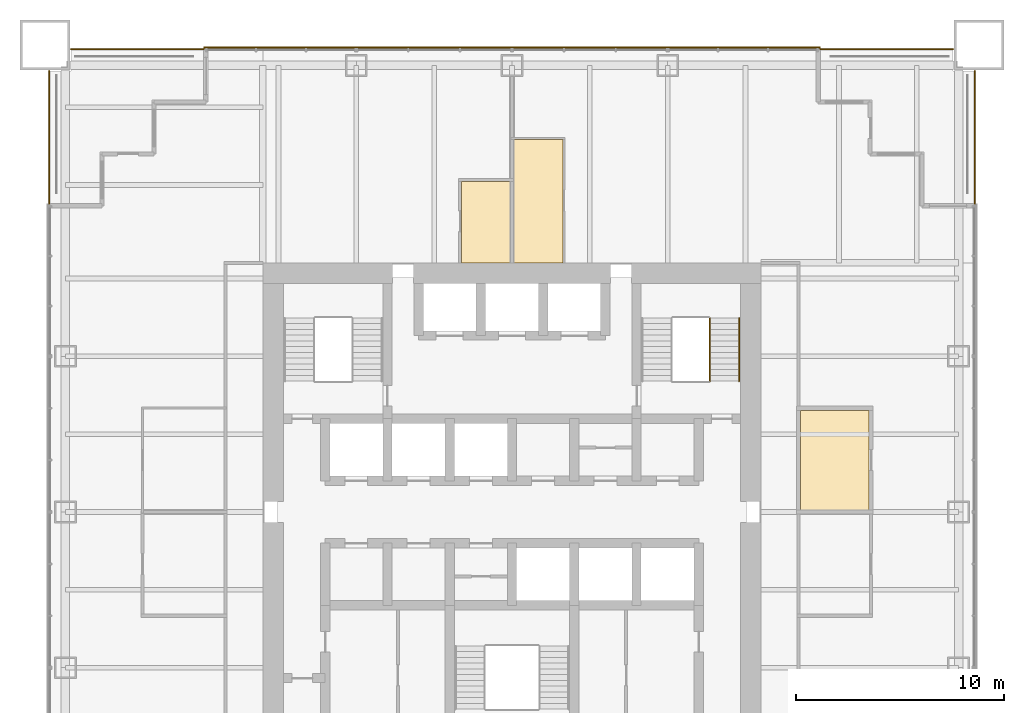
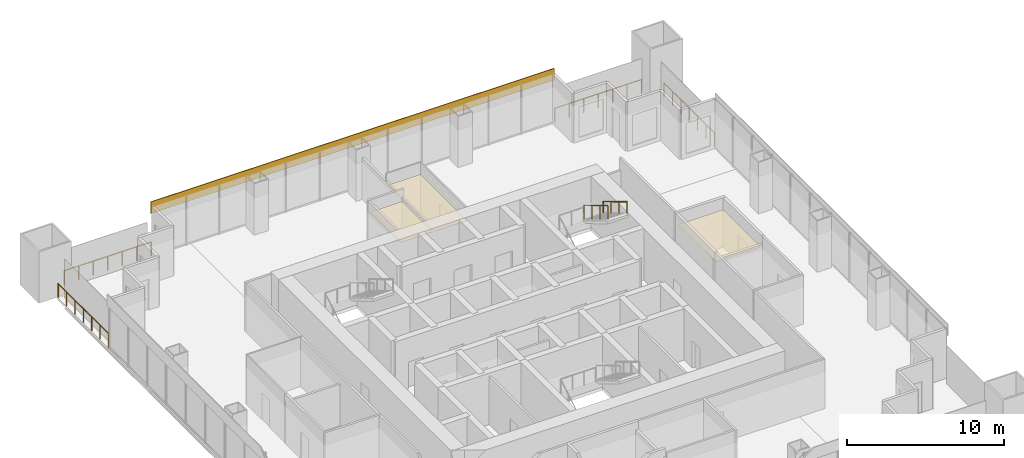
# One storey, part 13 of 13: 6 railings, 4 coverings.
"""IFC4 building model written with IfcOpenShell, lengths in metres."""

from ifc_helpers import new_model, si_unit, direction, frame, origin, origin_2d, place, context, subcontext, project, spatial, polyline, rectangle, circle, outline, extrude, material, layer, layer_set, type_object, element, save


model = new_model("IFC4")

# Units and contexts
model_context = context("Model", 3, precision=1e-05, world=origin(), true_north=direction((0.0, 1.0)))
body_context = subcontext(model_context, "Body", "Model", "MODEL_VIEW")
ifc_project = project(units=[si_unit("LENGTHUNIT", "METRE"), si_unit("AREAUNIT", "SQUARE_METRE"), si_unit("VOLUMEUNIT", "CUBIC_METRE"), si_unit("PLANEANGLEUNIT", "RADIAN"), si_unit("MASSUNIT", "GRAM", prefix="KILO")], contexts=[model_context])

# Site, building, storey
site_placement = place(None, origin())
site = spatial("IfcSite", under=ifc_project, at=site_placement, CompositionType="ELEMENT")
building_placement = place(site_placement, origin())
building = spatial("IfcBuilding", under=site, at=building_placement, Name="Tarangal Relay Tower", CompositionType="ELEMENT")
storey_placement = place(building_placement, frame((0.0, 0.0, 217.89990234375)))
storey = spatial("IfcBuildingStorey", under=building, at=storey_placement, Name="L46", CompositionType="ELEMENT", Elevation=217.89990234375)

# Covering
ifc_material_1 = material(Name="Black anodised aluminium cladding", Category="aluminium")
ifc_layer_1 = layer(ifc_material_1, 0.050048828125)
ifc_layer_set_1 = layer_set([ifc_layer_1], Name="Black metal spandrel band")
covering_type_1 = type_object("IfcCoveringType", Name="Black metal spandrel band", PredefinedType="CLADDING", material=ifc_layer_set_1)
covering_1_placement = place(storey_placement, frame((0.0, 22.375, 3.250244140625), z_axis=(0.0, 0.0, 1.0), x_axis=(1.0, 0.0, 0.0)))
element("IfcCovering", 1, at=covering_1_placement, inside=storey, type_object=covering_type_1, Name="Spandrel band SB1 N L46", PredefinedType="CLADDING", context=body_context, shape_type="SweptSolid", body=[
    extrude(rectangle(XDim=29.699951171875, YDim=0.050048828125, at=origin_2d()), origin(), (0.0, 0.0, 1.0), 0.89990234375),
])

# Railings
ifc_material_2 = material(Name="Steel guard, black finish", Category="steel")
railing_type_1 = type_object("IfcRailingType", Name="Stair guard 1100", PredefinedType="GUARDRAIL", material=ifc_material_2)
railing_1_placement = place(storey_placement, frame((9.530029296875, 9.346923828125, 2.166748046875)))
element("IfcRailing", 2, at=railing_1_placement, inside=storey, type_object=railing_type_1, Name="Stair ST-B guard GR1 L46 flight 2", PredefinedType="GUARDRAIL", context=body_context, shape_type="SweptSolid", body=[
    extrude(circle(Radius=0.02392578125, at=origin_2d()), frame((0.0, 0.0, 1.076171875), z_axis=(0.0, -0.85685617095, 0.515555527858), x_axis=(1.0, 0.0, 0.0)), (0.0, 0.0, 1.0), 3.555908203125),
    extrude(circle(Radius=0.02099609375, at=origin_2d()), origin(), (0.0, 0.0, 1.0), 1.052001953125),
    extrude(circle(Radius=0.02099609375, at=origin_2d()), frame((0.0, -1.015625, 0.611083984375)), (0.0, 0.0, 1.0), 1.052001953125),
    extrude(circle(Radius=0.02099609375, at=origin_2d()), frame((0.0, -2.03125, 1.22216796875)), (0.0, 0.0, 1.0), 1.052001953125),
    extrude(circle(Radius=0.02099609375, at=origin_2d()), frame((0.0, -3.046875, 1.833251953125)), (0.0, 0.0, 1.0), 1.052001953125),
])
ifc_material_3 = material(Name="Steel handrail, black finish", Category="steel")
railing_type_2 = type_object("IfcRailingType", Name="Stair handrail 900", PredefinedType="HANDRAIL", material=ifc_material_3)
railing_2_placement = place(storey_placement, frame((10.93994140625, 9.346923828125, 2.166748046875)))
element("IfcRailing", 3, at=railing_2_placement, inside=storey, type_object=railing_type_2, Name="Stair ST-B handrail HR1 L46 flight 2", PredefinedType="HANDRAIL", context=body_context, shape_type="SweptSolid", body=[
    extrude(circle(Radius=0.02392578125, at=origin_2d()), frame((0.0, 0.0, 0.8759765625), z_axis=(0.0, -0.85685617095, 0.515555527858), x_axis=(1.0, 0.0, 0.0)), (0.0, 0.0, 1.0), 3.555908203125),
    extrude(circle(Radius=0.02099609375, at=origin_2d()), origin(), (0.0, 0.0, 1.0), 0.851806640625),
    extrude(circle(Radius=0.02099609375, at=origin_2d()), frame((0.0, -1.015625, 0.611083984375)), (0.0, 0.0, 1.0), 0.851806640625),
    extrude(circle(Radius=0.02099609375, at=origin_2d()), frame((0.0, -2.03125, 1.22216796875)), (0.0, 0.0, 1.0), 0.851806640625),
    extrude(circle(Radius=0.02099609375, at=origin_2d()), frame((0.0, -3.046875, 1.833251953125)), (0.0, 0.0, 1.0), 0.851806640625),
])

# Coverings
ifc_material_4 = material(Name="Mineral fibre ceiling tiles", Category="gypsum")
ifc_layer_2 = layer(ifc_material_4, 0.02001953125)
ifc_layer_set_2 = layer_set([ifc_layer_2], Name="Suspended ceiling")
covering_type_2 = type_object("IfcCoveringType", Name="Suspended ceiling", PredefinedType="CEILING", material=ifc_layer_set_2)
covering_2_placement = place(storey_placement, frame((0.0, 0.0, 2.900146484375)))
element("IfcCovering", 4, at=covering_2_placement, inside=storey, type_object=covering_type_2, Name="Suspended ceiling CL1 L46-02", PredefinedType="CEILING", context=body_context, shape_type="SweptSolid", body=[
    extrude(outline(polyline([(-0.074951171875, 12.0), (-0.074951171875, 15.925048828125), (-2.425048828125, 15.925048828125), (-2.425048828125, 12.0), (-0.074951171875, 12.0)])), origin(), (0.0, 0.0, 1.0), 0.02001953125),
])
covering_3_placement = place(storey_placement, frame((0.0, 0.0, 2.900146484375)))
element("IfcCovering", 5, at=covering_3_placement, inside=storey, type_object=covering_type_2, Name="Suspended ceiling CL1 L46-03", PredefinedType="CEILING", context=body_context, shape_type="SweptSolid", body=[
    extrude(outline(polyline([(2.449951171875, 12.0), (2.449951171875, 17.949951171875), (0.074951171875, 17.949951171875), (0.074951171875, 12.0), (2.449951171875, 12.0)])), origin(), (0.0, 0.0, 1.0), 0.02001953125),
])
covering_4_placement = place(storey_placement, frame((0.0, 0.0, 2.900146484375)))
element("IfcCovering", 6, at=covering_4_placement, inside=storey, type_object=covering_type_2, Name="Suspended ceiling CL1 L46-04", PredefinedType="CEILING", context=body_context, shape_type="SweptSolid", body=[
    extrude(outline(polyline([(13.89990234375, 4.89990234375), (13.89990234375, 0.10009765625), (17.199951171875, 0.10009765625), (17.199951171875, 4.89990234375), (13.89990234375, 4.89990234375)])), origin(), (0.0, 0.0, 1.0), 0.02001953125),
])

# Railings
ifc_material_5 = material(Name="Black steel guard with glass infill", Category="steel")
railing_type_3 = type_object("IfcRailingType", Name="Terrace guard 1100", PredefinedType="GUARDRAIL", material=ifc_material_5)
railing_3_placement = place(storey_placement, frame((14.85009765625, 22.300048828125, 0.0)))
element("IfcRailing", 7, at=railing_3_placement, inside=storey, type_object=railing_type_3, Name="Terrace guard GR2 NE L46", PredefinedType="GUARDRAIL", context=body_context, shape_type="SweptSolid", body=[
    extrude(circle(Radius=0.02392578125, at=origin_2d()), frame((0.0, 0.0, 1.076171875), z_axis=(1.0, 0.0, 0.0), x_axis=(0.0, 1.0, 0.0)), (0.0, 0.0, 1.0), 6.39990234375),
    extrude(circle(Radius=0.02099609375, at=origin_2d()), origin(), (0.0, 0.0, 1.0), 1.052001953125),
    extrude(circle(Radius=0.02099609375, at=origin_2d()), frame((1.066650390625, 0.0, 0.0)), (0.0, 0.0, 1.0), 1.052001953125),
    extrude(circle(Radius=0.02099609375, at=origin_2d()), frame((2.13330078125, 0.0, 0.0)), (0.0, 0.0, 1.0), 1.052001953125),
    extrude(circle(Radius=0.02099609375, at=origin_2d()), frame((3.199951171875, 0.0, 0.0)), (0.0, 0.0, 1.0), 1.052001953125),
    extrude(circle(Radius=0.02099609375, at=origin_2d()), frame((4.2666015625, 0.0, 0.0)), (0.0, 0.0, 1.0), 1.052001953125),
    extrude(circle(Radius=0.02099609375, at=origin_2d()), frame((5.333251953125, 0.0, 0.0)), (0.0, 0.0, 1.0), 1.052001953125),
    extrude(circle(Radius=0.02099609375, at=origin_2d()), frame((6.39990234375, 0.0, 0.0)), (0.0, 0.0, 1.0), 1.052001953125),
])
railing_4_placement = place(storey_placement, frame((22.300048828125, 21.25, 0.0)))
element("IfcRailing", 8, at=railing_4_placement, inside=storey, type_object=railing_type_3, Name="Terrace guard GR2 NE L46", PredefinedType="GUARDRAIL", context=body_context, shape_type="SweptSolid", body=[
    extrude(circle(Radius=0.02392578125, at=origin_2d()), frame((0.0, 0.0, 1.076171875), z_axis=(0.0, -1.0, 0.0), x_axis=(1.0, 0.0, 0.0)), (0.0, 0.0, 1.0), 6.39990234375),
    extrude(circle(Radius=0.02099609375, at=origin_2d()), origin(), (0.0, 0.0, 1.0), 1.052001953125),
    extrude(circle(Radius=0.02099609375, at=origin_2d()), frame((0.0, -1.066650390625, 0.0)), (0.0, 0.0, 1.0), 1.052001953125),
    extrude(circle(Radius=0.02099609375, at=origin_2d()), frame((0.0, -2.13330078125, 0.0)), (0.0, 0.0, 1.0), 1.052001953125),
    extrude(circle(Radius=0.02099609375, at=origin_2d()), frame((0.0, -3.199951171875, 0.0)), (0.0, 0.0, 1.0), 1.052001953125),
    extrude(circle(Radius=0.02099609375, at=origin_2d()), frame((0.0, -4.2666015625, 0.0)), (0.0, 0.0, 1.0), 1.052001953125),
    extrude(circle(Radius=0.02099609375, at=origin_2d()), frame((0.0, -5.333251953125, 0.0)), (0.0, 0.0, 1.0), 1.052001953125),
    extrude(circle(Radius=0.02099609375, at=origin_2d()), frame((0.0, -6.39990234375, 0.0)), (0.0, 0.0, 1.0), 1.052001953125),
])
railing_5_placement = place(storey_placement, frame((-22.300048828125, 14.85009765625, 0.0)))
element("IfcRailing", 9, at=railing_5_placement, inside=storey, type_object=railing_type_3, Name="Terrace guard GR2 NW L46", PredefinedType="GUARDRAIL", context=body_context, shape_type="SweptSolid", body=[
    extrude(circle(Radius=0.02392578125, at=origin_2d()), frame((0.0, 0.0, 1.076171875), z_axis=(0.0, 1.0, 0.0), x_axis=(-1.0, 0.0, 0.0)), (0.0, 0.0, 1.0), 6.39990234375),
    extrude(circle(Radius=0.02099609375, at=origin_2d()), origin(), (0.0, 0.0, 1.0), 1.052001953125),
    extrude(circle(Radius=0.02099609375, at=origin_2d()), frame((0.0, 1.066650390625, 0.0)), (0.0, 0.0, 1.0), 1.052001953125),
    extrude(circle(Radius=0.02099609375, at=origin_2d()), frame((0.0, 2.13330078125, 0.0)), (0.0, 0.0, 1.0), 1.052001953125),
    extrude(circle(Radius=0.02099609375, at=origin_2d()), frame((0.0, 3.199951171875, 0.0)), (0.0, 0.0, 1.0), 1.052001953125),
    extrude(circle(Radius=0.02099609375, at=origin_2d()), frame((0.0, 4.2666015625, 0.0)), (0.0, 0.0, 1.0), 1.052001953125),
    extrude(circle(Radius=0.02099609375, at=origin_2d()), frame((0.0, 5.333251953125, 0.0)), (0.0, 0.0, 1.0), 1.052001953125),
    extrude(circle(Radius=0.02099609375, at=origin_2d()), frame((0.0, 6.39990234375, 0.0)), (0.0, 0.0, 1.0), 1.052001953125),
])
railing_6_placement = place(storey_placement, frame((-21.25, 22.300048828125, 0.0)))
element("IfcRailing", 10, at=railing_6_placement, inside=storey, type_object=railing_type_3, Name="Terrace guard GR2 NW L46", PredefinedType="GUARDRAIL", context=body_context, shape_type="SweptSolid", body=[
    extrude(circle(Radius=0.02392578125, at=origin_2d()), frame((0.0, 0.0, 1.076171875), z_axis=(1.0, 0.0, 0.0), x_axis=(0.0, 1.0, 0.0)), (0.0, 0.0, 1.0), 6.39990234375),
    extrude(circle(Radius=0.02099609375, at=origin_2d()), origin(), (0.0, 0.0, 1.0), 1.052001953125),
    extrude(circle(Radius=0.02099609375, at=origin_2d()), frame((1.066650390625, 0.0, 0.0)), (0.0, 0.0, 1.0), 1.052001953125),
    extrude(circle(Radius=0.02099609375, at=origin_2d()), frame((2.13330078125, 0.0, 0.0)), (0.0, 0.0, 1.0), 1.052001953125),
    extrude(circle(Radius=0.02099609375, at=origin_2d()), frame((3.199951171875, 0.0, 0.0)), (0.0, 0.0, 1.0), 1.052001953125),
    extrude(circle(Radius=0.02099609375, at=origin_2d()), frame((4.2666015625, 0.0, 0.0)), (0.0, 0.0, 1.0), 1.052001953125),
    extrude(circle(Radius=0.02099609375, at=origin_2d()), frame((5.333251953125, 0.0, 0.0)), (0.0, 0.0, 1.0), 1.052001953125),
    extrude(circle(Radius=0.02099609375, at=origin_2d()), frame((6.39990234375, 0.0, 0.0)), (0.0, 0.0, 1.0), 1.052001953125),
])

save(model, "model.ifc")
